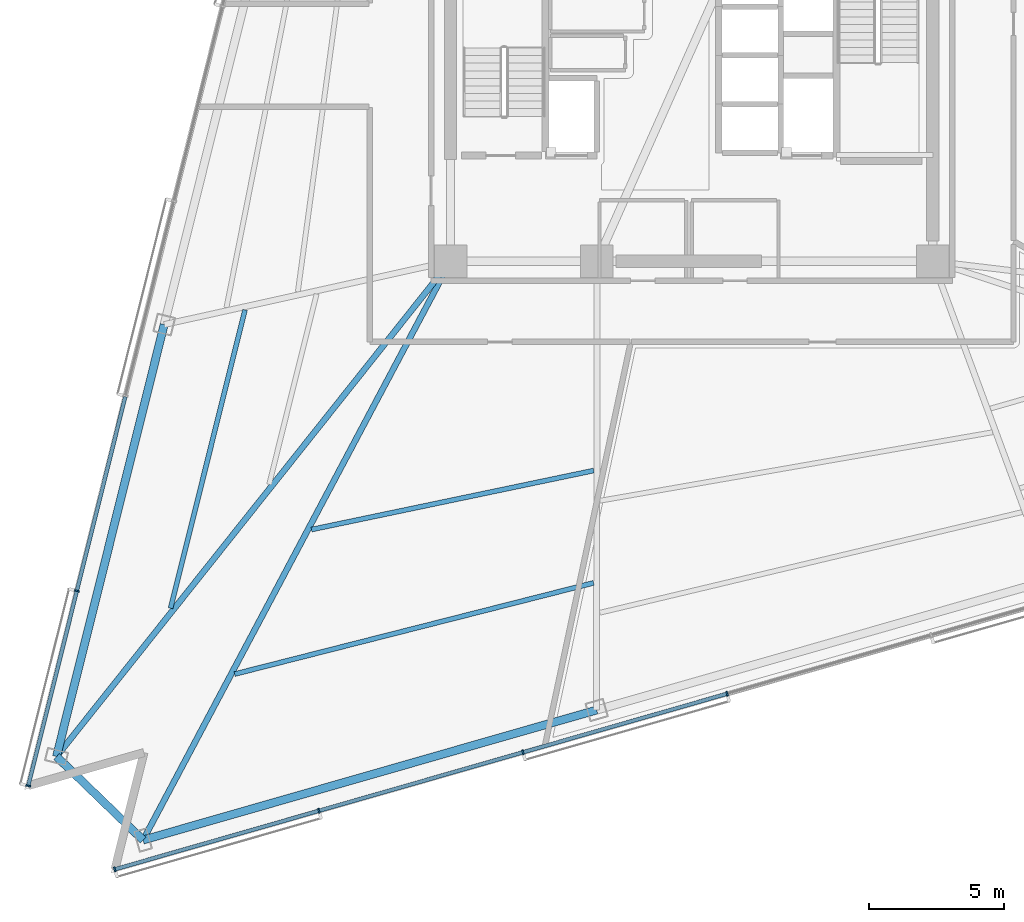
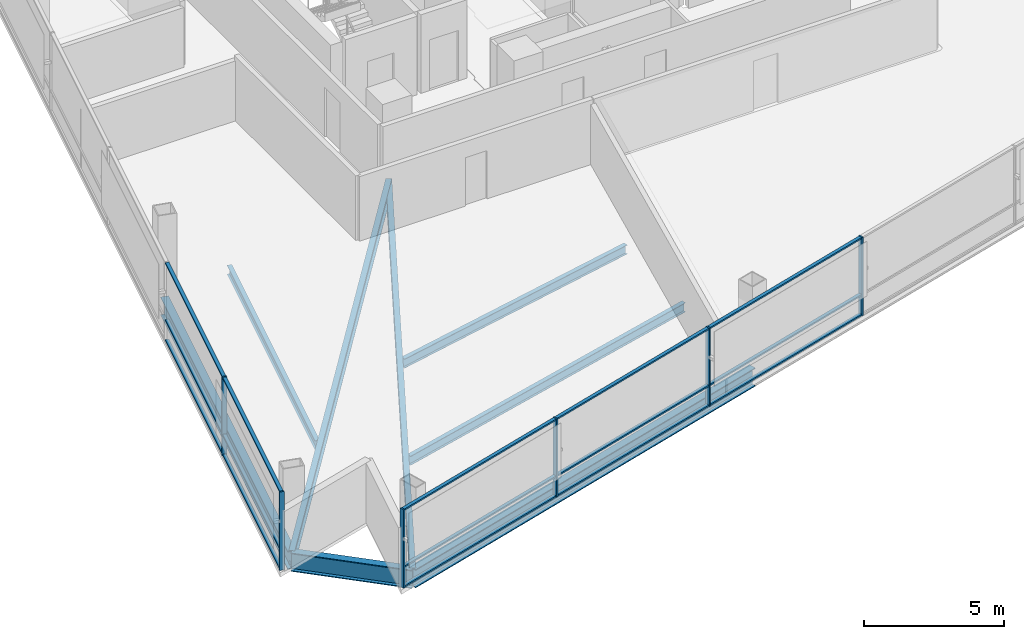
# One storey, part 2 of 16: 21 members, 8 beams, 2 elements without a shape of their own.
"""IFC4 building model written with IfcOpenShell, lengths in metres."""

from ifc_helpers import new_model, si_unit, direction, frame, origin, origin_2d, place, context, subcontext, project, spatial, rectangle, i_section, extrude, material, layer, layer_set, material_profile, profile_set, type_object, element, aggregate, save


model = new_model("IFC4")

# Units and contexts
model_context = context("Model", 3, precision=1e-05, world=origin(), true_north=direction((0.0, 1.0)))
body_context = subcontext(model_context, "Body", "Model", "MODEL_VIEW")
ifc_project = project(units=[si_unit("LENGTHUNIT", "METRE"), si_unit("AREAUNIT", "SQUARE_METRE"), si_unit("VOLUMEUNIT", "CUBIC_METRE"), si_unit("PLANEANGLEUNIT", "RADIAN"), si_unit("MASSUNIT", "GRAM", prefix="KILO")], contexts=[model_context])

# Site, building, storey
site_placement = place(None, origin())
site = spatial("IfcSite", under=ifc_project, at=site_placement, CompositionType="ELEMENT")
building_placement = place(site_placement, origin())
building = spatial("IfcBuilding", under=site, at=building_placement, Name="Tharavind Bronze Gate", CompositionType="ELEMENT")
storey_placement = place(building_placement, frame((0.0, 0.0, 104.10009765625)))
storey = spatial("IfcBuildingStorey", under=building, at=storey_placement, Name="L26", CompositionType="ELEMENT", Elevation=104.10009765625)

# Curtain wall, members
ifc_material_1 = material(Name="Anodised Bronze Aluminium", Category="aluminium")
ifc_layer = layer(ifc_material_1, 0.219970703125)
ifc_layer_set = layer_set([ifc_layer], Name="Anodised Bronze Aluminium")
curtain_wall_type = type_object("IfcCurtainWallType", Name="UNITISED CURTAIN WALL LOWER OFFICE", PredefinedType="USERDEFINED", material=ifc_layer_set)
curtain_wall_1_placement = place(storey_placement, origin())
curtain_wall_1 = element("IfcCurtainWall", 1, at=curtain_wall_1_placement, inside=storey, type_object=curtain_wall_type, Name="L26 unitised curtain wall lower office CW-L26-S1", ObjectType="UNITISED CURTAIN WALL", PredefinedType="USERDEFINED")
member_type_1 = type_object("IfcMemberType", Name="CURTAIN WALL BRONZE MULLION 65X180", PredefinedType="MULLION", material=ifc_material_1)
member_1_placement = place(storey_placement, frame((-22.695556640625, -19.76953125, 0.0), z_axis=(0.0, 0.0, 1.0), x_axis=(-0.2419218956, -0.970295726276, 0.0)))
member_1 = element("IfcMember", 2, at=member_1_placement, type_object=member_type_1, Name="CW-L26-S1 mullion 7", PredefinedType="MULLION", context=body_context, shape_type="SweptSolid", body=[
    extrude(rectangle(XDim=0.06494140625, YDim=0.179931640625, at=origin_2d()), origin(), (0.0, 0.0, 1.0), 3.409912109375),
])
member_2_placement = place(storey_placement, frame((-24.4892578125, -26.963623046875, 0.0), z_axis=(0.0, 0.0, 1.0), x_axis=(-0.2419218956, -0.970295726276, 0.0)))
member_2 = element("IfcMember", 3, at=member_2_placement, type_object=member_type_1, Name="CW-L26-S1 mullion 8", PredefinedType="MULLION", context=body_context, shape_type="SweptSolid", body=[
    extrude(rectangle(XDim=0.06494140625, YDim=0.179931640625, at=origin_2d()), origin(), (0.0, 0.0, 1.0), 3.409912109375),
])

curtain_wall_2_placement = place(storey_placement, origin())
curtain_wall_2 = element("IfcCurtainWall", 4, at=curtain_wall_2_placement, inside=storey, type_object=curtain_wall_type, Name="L26 unitised curtain wall lower office CW-L26-S2", ObjectType="UNITISED CURTAIN WALL", PredefinedType="USERDEFINED")
member_3_placement = place(storey_placement, frame((-21.29541015625, -30.0478515625, 0.0), z_axis=(0.0, 0.0, 1.0), x_axis=(0.961261695938, 0.275637355817, 0.0)))
member_3 = element("IfcMember", 5, at=member_3_placement, type_object=member_type_1, Name="CW-L26-S2 mullion 1", PredefinedType="MULLION", context=body_context, shape_type="SweptSolid", body=[
    extrude(rectangle(XDim=0.06494140625, YDim=0.179931640625, at=origin_2d()), origin(), (0.0, 0.0, 1.0), 3.409912109375),
])
member_4_placement = place(storey_placement, frame((-13.761962890625, -27.8876953125, 0.0), z_axis=(0.0, 0.0, 1.0), x_axis=(0.961261695938, 0.275637355817, 0.0)))
member_4 = element("IfcMember", 6, at=member_4_placement, type_object=member_type_1, Name="CW-L26-S2 mullion 2", PredefinedType="MULLION", context=body_context, shape_type="SweptSolid", body=[
    extrude(rectangle(XDim=0.06494140625, YDim=0.179931640625, at=origin_2d()), origin(), (0.0, 0.0, 1.0), 3.409912109375),
])
member_5_placement = place(storey_placement, frame((-6.228515625, -25.727294921875, 0.0), z_axis=(0.0, 0.0, 1.0), x_axis=(0.961261695938, 0.275637355817, 0.0)))
member_5 = element("IfcMember", 7, at=member_5_placement, type_object=member_type_1, Name="CW-L26-S2 mullion 3", PredefinedType="MULLION", context=body_context, shape_type="SweptSolid", body=[
    extrude(rectangle(XDim=0.06494140625, YDim=0.179931640625, at=origin_2d()), origin(), (0.0, 0.0, 1.0), 3.409912109375),
])
member_6_placement = place(storey_placement, frame((1.304931640625, -23.567138671875, 0.0), z_axis=(0.0, 0.0, 1.0), x_axis=(0.961261695938, 0.275637355817, 0.0)))
member_6 = element("IfcMember", 8, at=member_6_placement, type_object=member_type_1, Name="CW-L26-S2 mullion 4", PredefinedType="MULLION", context=body_context, shape_type="SweptSolid", body=[
    extrude(rectangle(XDim=0.06494140625, YDim=0.179931640625, at=origin_2d()), origin(), (0.0, 0.0, 1.0), 3.409912109375),
])

# Member
member_type_2 = type_object("IfcMemberType", Name="CURTAIN WALL BRONZE TRANSOM 65X140", PredefinedType="USERDEFINED", material=ifc_material_1)
member_7_placement = place(storey_placement, frame((-21.798828125, -16.172607421875, 0.0), z_axis=(0.0, 0.0, 1.0), x_axis=(-0.2419218956, -0.970295726276, 0.0)))
member_7 = element("IfcMember", 9, at=member_7_placement, type_object=member_type_2, Name="CW-L26-S1 transom TB6", ObjectType="TRANSOM", PredefinedType="USERDEFINED", context=body_context, shape_type="SweptSolid", body=[
    extrude(rectangle(XDim=7.361083984375, YDim=0.139892578125, at=origin_2d()), origin(), (0.0, 0.0, 1.0), 0.06494140625),
])

member_8_placement = place(storey_placement, frame((-21.798828125, -16.172607421875, 0.867431640625), z_axis=(0.0, 0.0, 1.0), x_axis=(-0.2419218956, -0.970295726276, 0.0)))
member_8 = element("IfcMember", 10, at=member_8_placement, type_object=member_type_2, Name="CW-L26-S1 transom TS6", ObjectType="TRANSOM", PredefinedType="USERDEFINED", context=body_context, shape_type="SweptSolid", body=[
    extrude(rectangle(XDim=7.361083984375, YDim=0.139892578125, at=origin_2d()), origin(), (0.0, 0.0, 1.0), 0.06494140625),
])

member_9_placement = place(storey_placement, frame((-21.798828125, -16.172607421875, 3.344970703125), z_axis=(0.0, 0.0, 1.0), x_axis=(-0.2419218956, -0.970295726276, 0.0)))
member_9 = element("IfcMember", 11, at=member_9_placement, type_object=member_type_2, Name="CW-L26-S1 transom TT6", ObjectType="TRANSOM", PredefinedType="USERDEFINED", context=body_context, shape_type="SweptSolid", body=[
    extrude(rectangle(XDim=7.361083984375, YDim=0.139892578125, at=origin_2d()), origin(), (0.0, 0.0, 1.0), 0.06494140625),
])

member_10_placement = place(storey_placement, frame((-23.592529296875, -23.36669921875, 0.0), z_axis=(0.0, 0.0, 1.0), x_axis=(-0.2419218956, -0.970295726276, 0.0)))
member_10 = element("IfcMember", 12, at=member_10_placement, type_object=member_type_2, Name="CW-L26-S1 transom TB7", ObjectType="TRANSOM", PredefinedType="USERDEFINED", context=body_context, shape_type="SweptSolid", body=[
    extrude(rectangle(XDim=7.361083984375, YDim=0.139892578125, at=origin_2d()), origin(), (0.0, 0.0, 1.0), 0.06494140625),
])

member_11_placement = place(storey_placement, frame((-23.592529296875, -23.36669921875, 0.867431640625), z_axis=(0.0, 0.0, 1.0), x_axis=(-0.2419218956, -0.970295726276, 0.0)))
member_11 = element("IfcMember", 13, at=member_11_placement, type_object=member_type_2, Name="CW-L26-S1 transom TS7", ObjectType="TRANSOM", PredefinedType="USERDEFINED", context=body_context, shape_type="SweptSolid", body=[
    extrude(rectangle(XDim=7.361083984375, YDim=0.139892578125, at=origin_2d()), origin(), (0.0, 0.0, 1.0), 0.06494140625),
])

member_12_placement = place(storey_placement, frame((-23.592529296875, -23.36669921875, 3.344970703125), z_axis=(0.0, 0.0, 1.0), x_axis=(-0.2419218956, -0.970295726276, 0.0)))
member_12 = element("IfcMember", 14, at=member_12_placement, type_object=member_type_2, Name="CW-L26-S1 transom TT7", ObjectType="TRANSOM", PredefinedType="USERDEFINED", context=body_context, shape_type="SweptSolid", body=[
    extrude(rectangle(XDim=7.361083984375, YDim=0.139892578125, at=origin_2d()), origin(), (0.0, 0.0, 1.0), 0.06494140625),
])

aggregate(curtain_wall_1, [member_1, member_2, member_7, member_8, member_9, member_10, member_11, member_12])

member_13_placement = place(storey_placement, frame((-17.52880859375, -28.9677734375, 0.0), z_axis=(0.0, 0.0, 1.0), x_axis=(0.961261695938, 0.275637355817, 0.0)))
member_13 = element("IfcMember", 15, at=member_13_placement, type_object=member_type_2, Name="CW-L26-S2 transom TB1", ObjectType="TRANSOM", PredefinedType="USERDEFINED", context=body_context, shape_type="SweptSolid", body=[
    extrude(rectangle(XDim=7.7841796875, YDim=0.139892578125, at=origin_2d()), origin(), (0.0, 0.0, 1.0), 0.06494140625),
])

member_14_placement = place(storey_placement, frame((-17.52880859375, -28.9677734375, 0.867431640625), z_axis=(0.0, 0.0, 1.0), x_axis=(0.961261695938, 0.275637355817, 0.0)))
member_14 = element("IfcMember", 16, at=member_14_placement, type_object=member_type_2, Name="CW-L26-S2 transom TS1", ObjectType="TRANSOM", PredefinedType="USERDEFINED", context=body_context, shape_type="SweptSolid", body=[
    extrude(rectangle(XDim=7.7841796875, YDim=0.139892578125, at=origin_2d()), origin(), (0.0, 0.0, 1.0), 0.06494140625),
])

member_15_placement = place(storey_placement, frame((-17.52880859375, -28.9677734375, 3.344970703125), z_axis=(0.0, 0.0, 1.0), x_axis=(0.961261695938, 0.275637355817, 0.0)))
member_15 = element("IfcMember", 17, at=member_15_placement, type_object=member_type_2, Name="CW-L26-S2 transom TT1", ObjectType="TRANSOM", PredefinedType="USERDEFINED", context=body_context, shape_type="SweptSolid", body=[
    extrude(rectangle(XDim=7.7841796875, YDim=0.139892578125, at=origin_2d()), origin(), (0.0, 0.0, 1.0), 0.06494140625),
])

member_16_placement = place(storey_placement, frame((-9.995361328125, -26.8076171875, 0.0), z_axis=(0.0, 0.0, 1.0), x_axis=(0.961261695938, 0.275637355817, 0.0)))
member_16 = element("IfcMember", 18, at=member_16_placement, type_object=member_type_2, Name="CW-L26-S2 transom TB2", ObjectType="TRANSOM", PredefinedType="USERDEFINED", context=body_context, shape_type="SweptSolid", body=[
    extrude(rectangle(XDim=7.7841796875, YDim=0.139892578125, at=origin_2d()), origin(), (0.0, 0.0, 1.0), 0.06494140625),
])

member_17_placement = place(storey_placement, frame((-9.995361328125, -26.8076171875, 0.867431640625), z_axis=(0.0, 0.0, 1.0), x_axis=(0.961261695938, 0.275637355817, 0.0)))
member_17 = element("IfcMember", 19, at=member_17_placement, type_object=member_type_2, Name="CW-L26-S2 transom TS2", ObjectType="TRANSOM", PredefinedType="USERDEFINED", context=body_context, shape_type="SweptSolid", body=[
    extrude(rectangle(XDim=7.7841796875, YDim=0.139892578125, at=origin_2d()), origin(), (0.0, 0.0, 1.0), 0.06494140625),
])

member_18_placement = place(storey_placement, frame((-9.995361328125, -26.8076171875, 3.344970703125), z_axis=(0.0, 0.0, 1.0), x_axis=(0.961261695938, 0.275637355817, 0.0)))
member_18 = element("IfcMember", 20, at=member_18_placement, type_object=member_type_2, Name="CW-L26-S2 transom TT2", ObjectType="TRANSOM", PredefinedType="USERDEFINED", context=body_context, shape_type="SweptSolid", body=[
    extrude(rectangle(XDim=7.7841796875, YDim=0.139892578125, at=origin_2d()), origin(), (0.0, 0.0, 1.0), 0.06494140625),
])

member_19_placement = place(storey_placement, frame((-2.4619140625, -24.647216796875, 0.0), z_axis=(0.0, 0.0, 1.0), x_axis=(0.961261695938, 0.275637355817, 0.0)))
member_19 = element("IfcMember", 21, at=member_19_placement, type_object=member_type_2, Name="CW-L26-S2 transom TB3", ObjectType="TRANSOM", PredefinedType="USERDEFINED", context=body_context, shape_type="SweptSolid", body=[
    extrude(rectangle(XDim=7.7841796875, YDim=0.139892578125, at=origin_2d()), origin(), (0.0, 0.0, 1.0), 0.06494140625),
])

member_20_placement = place(storey_placement, frame((-2.4619140625, -24.647216796875, 0.867431640625), z_axis=(0.0, 0.0, 1.0), x_axis=(0.961261695938, 0.275637355817, 0.0)))
member_20 = element("IfcMember", 22, at=member_20_placement, type_object=member_type_2, Name="CW-L26-S2 transom TS3", ObjectType="TRANSOM", PredefinedType="USERDEFINED", context=body_context, shape_type="SweptSolid", body=[
    extrude(rectangle(XDim=7.7841796875, YDim=0.139892578125, at=origin_2d()), origin(), (0.0, 0.0, 1.0), 0.06494140625),
])

member_21_placement = place(storey_placement, frame((-2.4619140625, -24.647216796875, 3.344970703125), z_axis=(0.0, 0.0, 1.0), x_axis=(0.961261695938, 0.275637355817, 0.0)))
member_21 = element("IfcMember", 23, at=member_21_placement, type_object=member_type_2, Name="CW-L26-S2 transom TT3", ObjectType="TRANSOM", PredefinedType="USERDEFINED", context=body_context, shape_type="SweptSolid", body=[
    extrude(rectangle(XDim=7.7841796875, YDim=0.139892578125, at=origin_2d()), origin(), (0.0, 0.0, 1.0), 0.06494140625),
])

aggregate(curtain_wall_2, [member_3, member_4, member_5, member_6, member_13, member_14, member_15, member_16, member_17, member_18, member_19, member_20, member_21])

# Beams
ifc_material_2 = material(Name="Steel S355", Category="steel")
ifc_material_profile_1 = material_profile(ifc_material_2, i_section(OverallWidth=0.219970703125, OverallDepth=0.60009765625, WebThickness=0.011962890625, FlangeThickness=0.01904296875, at=origin_2d()), Name="IPE600")
ifc_profile_set_1 = profile_set([ifc_material_profile_1], Name="Steel S355")
beam_type_1 = type_object("IfcBeamType", Name="PRIMARY GIRDER IPE600", PredefinedType="USERDEFINED", material=ifc_profile_set_1)
beam_1_placement = place(storey_placement, frame((-23.447265625, -25.884521484375, -0.489990234375), z_axis=(0.622600502265, 0.782539848557, 0.0), x_axis=(-0.782539848557, 0.622600502265, 0.0)))
element("IfcBeam", 24, at=beam_1_placement, inside=storey, type_object=beam_type_1, Name="L26 primary girder ipe600 BM-L26-RAD04", ObjectType="GIRDER", PredefinedType="USERDEFINED", context=body_context, shape_type="SweptSolid", body=[
    extrude(i_section(OverallWidth=0.219970703125, OverallDepth=0.60009765625, WebThickness=0.011962890625, FlangeThickness=0.01904296875, at=origin_2d()), origin(), (0.0, 0.0, 1.0), 23.365478515625),
])
beam_2_placement = place(storey_placement, frame((-20.25341796875, -28.96875, -0.489990234375), z_axis=(0.469200962238, 0.883091420542, 0.0), x_axis=(-0.883091420542, 0.469200962238, 0.0)))
element("IfcBeam", 25, at=beam_2_placement, inside=storey, type_object=beam_type_1, Name="L26 primary girder ipe600 BM-L26-RAD05", ObjectType="GIRDER", PredefinedType="USERDEFINED", context=body_context, shape_type="SweptSolid", body=[
    extrude(i_section(OverallWidth=0.219970703125, OverallDepth=0.60009765625, WebThickness=0.011962890625, FlangeThickness=0.01904296875, at=origin_2d()), origin(), (0.0, 0.0, 1.0), 24.197509765625),
])
ifc_material_profile_2 = material_profile(ifc_material_2, i_section(OverallWidth=0.300048828125, OverallDepth=0.800048828125, WebThickness=0.017578125, FlangeThickness=0.032958984375, at=origin_2d()), Name="HE800B")
ifc_profile_set_2 = profile_set([ifc_material_profile_2], Name="Steel S355")
beam_type_2 = type_object("IfcBeamType", Name="RING GIRDER HE800B", PredefinedType="USERDEFINED", material=ifc_profile_set_2)
beam_3_placement = place(storey_placement, frame((-19.4716796875, -9.93896484375, -0.590087890625), z_axis=(-0.24191686251, -0.970296981152, 0.0), x_axis=(0.970296981152, -0.24191686251, 0.0)))
element("IfcBeam", 26, at=beam_3_placement, inside=storey, type_object=beam_type_2, Name="L26 ring girder he800b BM-L26-PRG03", ObjectType="GIRDER", PredefinedType="USERDEFINED", context=body_context, shape_type="SweptSolid", body=[
    extrude(i_section(OverallWidth=0.300048828125, OverallDepth=0.800048828125, WebThickness=0.017578125, FlangeThickness=0.032958984375, at=origin_2d()), origin(), (0.0, 0.0, 1.0), 16.43359375),
])
beam_4_placement = place(storey_placement, frame((-23.447265625, -25.884521484375, -0.590087890625), z_axis=(0.719343662261, -0.694654371299, 0.0), x_axis=(0.694654371299, 0.719343662261, 0.0)))
element("IfcBeam", 27, at=beam_4_placement, inside=storey, type_object=beam_type_2, Name="L26 ring girder he800b BM-L26-PRG04", ObjectType="GIRDER", PredefinedType="USERDEFINED", context=body_context, shape_type="SweptSolid", body=[
    extrude(i_section(OverallWidth=0.300048828125, OverallDepth=0.800048828125, WebThickness=0.017578125, FlangeThickness=0.032958984375, at=origin_2d()), origin(), (0.0, 0.0, 1.0), 4.43994140625),
])
beam_5_placement = place(storey_placement, frame((-20.25341796875, -28.96875, -0.590087890625), z_axis=(0.961261198388, 0.275639090974, 0.0), x_axis=(-0.275639090974, 0.961261198388, 0.0)))
element("IfcBeam", 28, at=beam_5_placement, inside=storey, type_object=beam_type_2, Name="L26 ring girder he800b BM-L26-PRG05", ObjectType="GIRDER", PredefinedType="USERDEFINED", context=body_context, shape_type="SweptSolid", body=[
    extrude(i_section(OverallWidth=0.300048828125, OverallDepth=0.800048828125, WebThickness=0.017578125, FlangeThickness=0.032958984375, at=origin_2d()), origin(), (0.0, 0.0, 1.0), 17.42041015625),
])
ifc_material_profile_3 = material_profile(ifc_material_2, i_section(OverallWidth=0.179931640625, OverallDepth=0.39990234375, WebThickness=0.008544921875, FlangeThickness=0.013427734375, at=origin_2d()), Name="IPE400")
ifc_profile_set_3 = profile_set([ifc_material_profile_3], Name="Steel S355")
beam_type_3 = type_object("IfcBeamType", Name="SECONDARY FLOOR JOIST IPE400", PredefinedType="JOIST", material=ifc_profile_set_3)
beam_6_placement = place(storey_placement, frame((-16.489501953125, -9.3955078125, -0.39013671875), z_axis=(-0.241903146974, -0.970300400641, 0.0), x_axis=(0.970300400641, -0.241903146974, 0.0)))
element("IfcBeam", 29, at=beam_6_placement, inside=storey, type_object=beam_type_3, Name="L26 secondary floor joist ipe400 BM-L26-JSTB03", PredefinedType="JOIST", context=body_context, shape_type="SweptSolid", body=[
    extrude(i_section(OverallWidth=0.179931640625, OverallDepth=0.39990234375, WebThickness=0.008544921875, FlangeThickness=0.013427734375, at=origin_2d()), origin(), (0.0, 0.0, 1.0), 11.35400390625),
])
beam_7_placement = place(storey_placement, frame((-14.035400390625, -17.50634765625, -0.39013671875), z_axis=(0.97881885556, 0.204728229614, 0.0), x_axis=(-0.204728229614, 0.97881885556, 0.0)))
element("IfcBeam", 30, at=beam_7_placement, inside=storey, type_object=beam_type_3, Name="L26 secondary floor joist ipe400 BM-L26-JSTA05", PredefinedType="JOIST", context=body_context, shape_type="SweptSolid", body=[
    extrude(i_section(OverallWidth=0.179931640625, OverallDepth=0.39990234375, WebThickness=0.008544921875, FlangeThickness=0.013427734375, at=origin_2d()), origin(), (0.0, 0.0, 1.0), 10.64306640625),
])
beam_8_placement = place(storey_placement, frame((-16.869873046875, -22.841064453125, -0.39013671875), z_axis=(0.969204659951, 0.246256628601, 0.0), x_axis=(-0.246256628601, 0.969204659951, 0.0)))
element("IfcBeam", 31, at=beam_8_placement, inside=storey, type_object=beam_type_3, Name="L26 secondary floor joist ipe400 BM-L26-JSTB05", PredefinedType="JOIST", context=body_context, shape_type="SweptSolid", body=[
    extrude(i_section(OverallWidth=0.179931640625, OverallDepth=0.39990234375, WebThickness=0.008544921875, FlangeThickness=0.013427734375, at=origin_2d()), origin(), (0.0, 0.0, 1.0), 13.67138671875),
])

save(model, "model.ifc")
